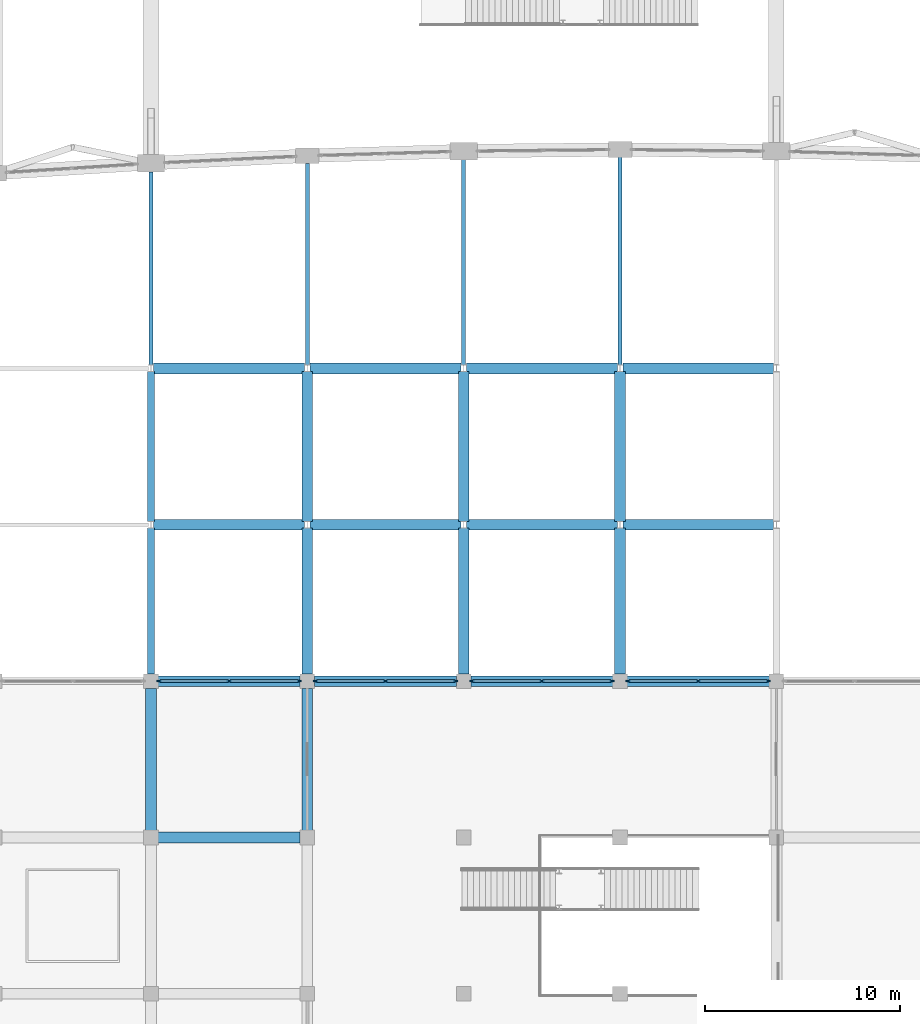
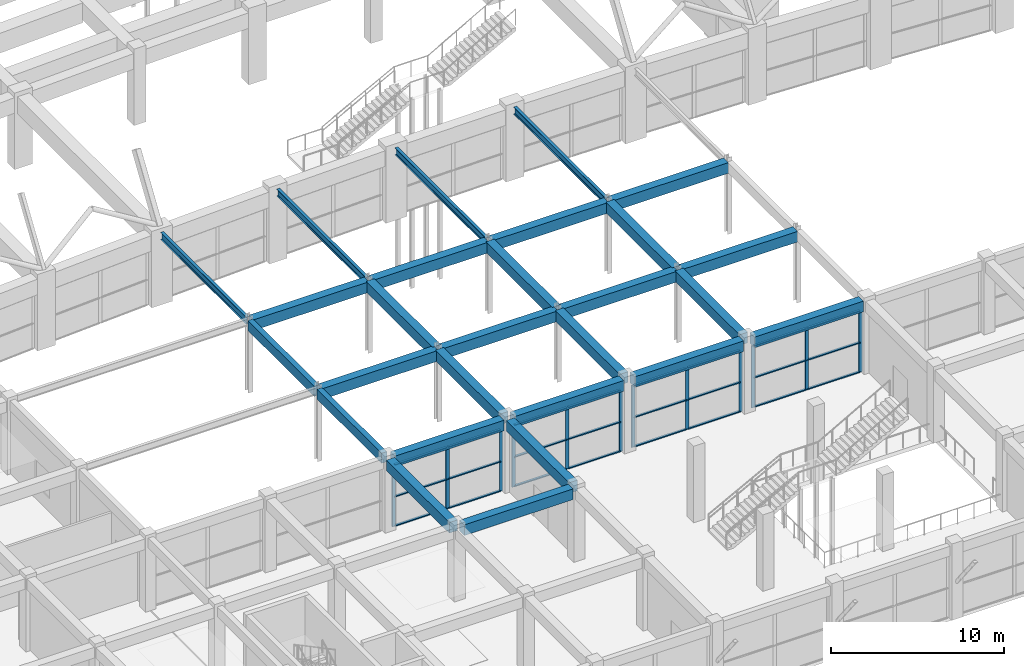
# One storey, part 17 of 69: 36 members, 27 beams, 4 elements without a shape of their own.
"""IFC4 building model written with IfcOpenShell, lengths in metres."""

from ifc_helpers import new_model, si_unit, direction, frame, origin, origin_2d, place, context, subcontext, project, spatial, rectangle, i_section, extrude, material, material_profile, profile_set, type_object, element, aggregate, save


model = new_model("IFC4")

# Units and contexts
model_context = context("Model", 3, precision=1e-05, world=origin(), true_north=direction((0.0, 1.0)))
body_context = subcontext(model_context, "Body", "Model", "MODEL_VIEW")
ifc_project = project(units=[si_unit("LENGTHUNIT", "METRE"), si_unit("AREAUNIT", "SQUARE_METRE"), si_unit("VOLUMEUNIT", "CUBIC_METRE"), si_unit("PLANEANGLEUNIT", "RADIAN"), si_unit("MASSUNIT", "GRAM", prefix="KILO")], contexts=[model_context])

# Site, building, storey
site_placement = place(None, origin())
site = spatial("IfcSite", under=ifc_project, at=site_placement, CompositionType="ELEMENT")
building_placement = place(site_placement, origin())
building = spatial("IfcBuilding", under=site, at=building_placement, Name="Kenh Van Central Station", CompositionType="ELEMENT")
storey_placement = place(building_placement, frame((0.0, 0.0, 5.39990234375)))
storey = spatial("IfcBuildingStorey", under=building, at=storey_placement, Name="L01", CompositionType="ELEMENT", Elevation=5.39990234375)

# Beams
ifc_material_1 = material(Name="Concrete C35/45", Category="concrete")
ifc_material_profile_1 = material_profile(ifc_material_1, rectangle(XDim=0.550048828125, YDim=0.75, at=origin_2d()), Name="RC 550x750")
ifc_profile_set_1 = profile_set([ifc_material_profile_1], Name="Concrete C35/45")
beam_type_1 = type_object("IfcBeamType", Name="BM-RC-550x750", PredefinedType="BEAM", material=ifc_profile_set_1)
for number, where, z_axis, x_axis, name in (
    (1, (64.364990234375, 32.0, 4.755126953125), (1.0, 0.0, 0.0), (0.0, 1.0, 0.0), "L01 beam 0678"),
    (2, (64.364990234375, 40.0, 4.755126953125), (1.0, 0.0, 0.0), (0.0, 1.0, 0.0), "L01 beam 0694"),
    (3, (72.364990234375, 40.0, 4.755126953125), (1.0, 0.0, 0.0), (0.0, 1.0, 0.0), "L01 beam 0695"),
    (4, (80.364990234375, 40.0, 4.755126953125), (1.0, 0.0, 0.0), (0.0, 1.0, 0.0), "L01 beam 0696"),
    (5, (88.364990234375, 40.0, 4.755126953125), (1.0, 0.0, 0.0), (0.0, 1.0, 0.0), "L01 beam 0697"),
):
    element("IfcBeam", number, at=place(storey_placement, frame(where, z_axis=z_axis, x_axis=x_axis)), inside=storey, type_object=beam_type_1, Name=name, PredefinedType="BEAM", context=body_context, shape_type="SweptSolid", body=[
        extrude(rectangle(XDim=0.550048828125, YDim=0.75, at=origin_2d()), origin(), (0.0, 0.0, 1.0), 7.27001953125),
    ])
for number, where, z_axis, x_axis, name in (
    (6, (64.139892578125, 48.0, 4.755126953125), (1.0, 0.0, 0.0), (0.0, 1.0, 0.0), "L01 beam 0713"),
    (7, (72.139892578125, 48.0, 4.755126953125), (1.0, 0.0, 0.0), (0.0, 1.0, 0.0), "L01 beam 0714"),
    (8, (80.139892578125, 48.0, 4.755126953125), (1.0, 0.0, 0.0), (0.0, 1.0, 0.0), "L01 beam 0715"),
    (9, (88.139892578125, 48.0, 4.755126953125), (1.0, 0.0, 0.0), (0.0, 1.0, 0.0), "L01 beam 0716"),
    (10, (64.139892578125, 56.0, 4.755126953125), (1.0, 0.0, 0.0), (0.0, 1.0, 0.0), "L01 beam 0728"),
    (11, (72.139892578125, 56.0, 4.755126953125), (1.0, 0.0, 0.0), (0.0, 1.0, 0.0), "L01 beam 0729"),
    (12, (80.139892578125, 56.0, 4.755126953125), (1.0, 0.0, 0.0), (0.0, 1.0, 0.0), "L01 beam 0730"),
    (13, (88.139892578125, 56.0, 4.755126953125), (1.0, 0.0, 0.0), (0.0, 1.0, 0.0), "L01 beam 0731"),
):
    element("IfcBeam", number, at=place(storey_placement, frame(where, z_axis=z_axis, x_axis=x_axis)), inside=storey, type_object=beam_type_1, Name=name, PredefinedType="BEAM", context=body_context, shape_type="SweptSolid", body=[
        extrude(rectangle(XDim=0.550048828125, YDim=0.75, at=origin_2d()), origin(), (0.0, 0.0, 1.0), 7.72021484375),
    ])
for number, where, z_axis, x_axis, name in (
    (14, (64.0, 32.364990234375, 4.755126953125), (0.0, 1.0, 0.0), (-1.0, 0.0, 0.0), "L01 beam 0811"),
    (15, (72.0, 32.364990234375, 4.755126953125), (0.0, 1.0, 0.0), (-1.0, 0.0, 0.0), "L01 beam 0817"),
):
    element("IfcBeam", number, at=place(storey_placement, frame(where, z_axis=z_axis, x_axis=x_axis)), inside=storey, type_object=beam_type_1, Name=name, PredefinedType="BEAM", context=body_context, shape_type="SweptSolid", body=[
        extrude(rectangle(XDim=0.550048828125, YDim=0.75, at=origin_2d()), origin(), (0.0, 0.0, 1.0), 7.27001953125),
    ])
beam_1_placement = place(storey_placement, frame((72.0, 40.364990234375, 4.755126953125), z_axis=(0.0, 1.0, 0.0), x_axis=(-1.0, 0.0, 0.0)))
element("IfcBeam", 16, at=beam_1_placement, inside=storey, type_object=beam_type_1, Name="L01 beam 0818", PredefinedType="BEAM", context=body_context, shape_type="SweptSolid", body=[
    extrude(rectangle(XDim=0.550048828125, YDim=0.75, at=origin_2d()), origin(), (0.0, 0.0, 1.0), 7.465087890625),
])
beam_2_placement = place(storey_placement, frame((72.0, 48.169921875, 4.755126953125), z_axis=(0.0, 1.0, 0.0), x_axis=(-1.0, 0.0, 0.0)))
element("IfcBeam", 17, at=beam_2_placement, inside=storey, type_object=beam_type_1, Name="L01 beam 0819", PredefinedType="BEAM", context=body_context, shape_type="SweptSolid", body=[
    extrude(rectangle(XDim=0.550048828125, YDim=0.75, at=origin_2d()), origin(), (0.0, 0.0, 1.0), 7.66015625),
])
beam_3_placement = place(storey_placement, frame((80.0, 40.364990234375, 4.755126953125), z_axis=(0.0, 1.0, 0.0), x_axis=(-1.0, 0.0, 0.0)))
element("IfcBeam", 18, at=beam_3_placement, inside=storey, type_object=beam_type_1, Name="L01 beam 0821", PredefinedType="BEAM", context=body_context, shape_type="SweptSolid", body=[
    extrude(rectangle(XDim=0.550048828125, YDim=0.75, at=origin_2d()), origin(), (0.0, 0.0, 1.0), 7.465087890625),
])
beam_4_placement = place(storey_placement, frame((80.0, 48.169921875, 4.755126953125), z_axis=(0.0, 1.0, 0.0), x_axis=(-1.0, 0.0, 0.0)))
element("IfcBeam", 19, at=beam_4_placement, inside=storey, type_object=beam_type_1, Name="L01 beam 0822", PredefinedType="BEAM", context=body_context, shape_type="SweptSolid", body=[
    extrude(rectangle(XDim=0.550048828125, YDim=0.75, at=origin_2d()), origin(), (0.0, 0.0, 1.0), 7.66015625),
])
beam_5_placement = place(storey_placement, frame((88.0, 40.364990234375, 4.755126953125), z_axis=(0.0, 1.0, 0.0), x_axis=(-1.0, 0.0, 0.0)))
element("IfcBeam", 20, at=beam_5_placement, inside=storey, type_object=beam_type_1, Name="L01 beam 0824", PredefinedType="BEAM", context=body_context, shape_type="SweptSolid", body=[
    extrude(rectangle(XDim=0.550048828125, YDim=0.75, at=origin_2d()), origin(), (0.0, 0.0, 1.0), 7.465087890625),
])
beam_6_placement = place(storey_placement, frame((88.0, 48.169921875, 4.755126953125), z_axis=(0.0, 1.0, 0.0), x_axis=(-1.0, 0.0, 0.0)))
element("IfcBeam", 21, at=beam_6_placement, inside=storey, type_object=beam_type_1, Name="L01 beam 0825", PredefinedType="BEAM", context=body_context, shape_type="SweptSolid", body=[
    extrude(rectangle(XDim=0.550048828125, YDim=0.75, at=origin_2d()), origin(), (0.0, 0.0, 1.0), 7.66015625),
])
ifc_material_2 = material(Name="Steel S355", Category="steel")
ifc_material_profile_2 = material_profile(ifc_material_2, i_section(OverallWidth=0.199951171875, OverallDepth=0.5, WebThickness=0.01025390625, FlangeThickness=0.01611328125, FilletRadius=0.02099609375, at=origin_2d()), Name="IPE 500")
ifc_profile_set_2 = profile_set([ifc_material_profile_2], Name="Steel S355")
beam_type_2 = type_object("IfcBeamType", Name="BM-STL-IPE500", PredefinedType="BEAM", material=ifc_profile_set_2)
beam_7_placement = place(storey_placement, frame((64.0, 56.169921875, 4.880126953125), z_axis=(0.0, 1.0, 0.0), x_axis=(-1.0, 0.0, 0.0)))
element("IfcBeam", 22, at=beam_7_placement, inside=storey, type_object=beam_type_2, Name="L01 beam 0814", PredefinedType="BEAM", context=body_context, shape_type="SweptSolid", body=[
    extrude(i_section(OverallWidth=0.199951171875, OverallDepth=0.5, WebThickness=0.01025390625, FlangeThickness=0.01611328125, FilletRadius=0.02099609375, at=origin_2d()), origin(), (0.0, 0.0, 1.0), 9.89208984375),
])
beam_8_placement = place(storey_placement, frame((72.0, 56.169921875, 4.880126953125), z_axis=(0.0, 1.0, 0.0), x_axis=(-1.0, 0.0, 0.0)))
element("IfcBeam", 23, at=beam_8_placement, inside=storey, type_object=beam_type_2, Name="L01 beam 0820", PredefinedType="BEAM", context=body_context, shape_type="SweptSolid", body=[
    extrude(i_section(OverallWidth=0.199951171875, OverallDepth=0.5, WebThickness=0.01025390625, FlangeThickness=0.01611328125, FilletRadius=0.02099609375, at=origin_2d()), origin(), (0.0, 0.0, 1.0), 10.3232421875),
])
beam_9_placement = place(storey_placement, frame((80.0, 56.169921875, 4.880126953125), z_axis=(0.0, 1.0, 0.0), x_axis=(-1.0, 0.0, 0.0)))
element("IfcBeam", 24, at=beam_9_placement, inside=storey, type_object=beam_type_2, Name="L01 beam 0823", PredefinedType="BEAM", context=body_context, shape_type="SweptSolid", body=[
    extrude(i_section(OverallWidth=0.199951171875, OverallDepth=0.5, WebThickness=0.01025390625, FlangeThickness=0.01611328125, FilletRadius=0.02099609375, at=origin_2d()), origin(), (0.0, 0.0, 1.0), 10.509765625),
])
beam_10_placement = place(storey_placement, frame((88.0, 56.169921875, 4.880126953125), z_axis=(0.0, 1.0, 0.0), x_axis=(-1.0, 0.0, 0.0)))
element("IfcBeam", 25, at=beam_10_placement, inside=storey, type_object=beam_type_2, Name="L01 beam 0826", PredefinedType="BEAM", context=body_context, shape_type="SweptSolid", body=[
    extrude(i_section(OverallWidth=0.199951171875, OverallDepth=0.5, WebThickness=0.01025390625, FlangeThickness=0.01611328125, FilletRadius=0.02099609375, at=origin_2d()), origin(), (0.0, 0.0, 1.0), 10.64013671875),
])

# Curtain wall, members
ifc_material_3 = material(Name="Champagne anodised aluminium", Category="aluminium")
curtain_wall_type = type_object("IfcCurtainWallType", Name="CW-CONC-B", PredefinedType="NOTDEFINED", material=ifc_material_3)
curtain_wall_1_placement = place(storey_placement, origin())
curtain_wall_1 = element("IfcCurtainWall", 26, at=curtain_wall_1_placement, inside=storey, type_object=curtain_wall_type, Name="L01 curtain wall 115", PredefinedType="NOTDEFINED")
ifc_material_profile_3 = material_profile(ifc_material_3, rectangle(XDim=0.08203125, YDim=0.22509765625, at=origin_2d()), Name="AL 82x225")
ifc_profile_set_3 = profile_set([ifc_material_profile_3], Name="Champagne anodised aluminium")
member_type_1 = type_object("IfcMemberType", Name="CWM-70x180", PredefinedType="MULLION", material=ifc_profile_set_3)
member_1_placement = place(storey_placement, frame((95.583984375, 40.0, 0.0), z_axis=(0.0, 0.0, 1.0), x_axis=(0.0, -1.0, 0.0)))
member_1 = element("IfcMember", 27, at=member_1_placement, type_object=member_type_1, Name="CW-04 mullion 1", PredefinedType="MULLION", context=body_context, shape_type="SweptSolid", body=[
    extrude(rectangle(XDim=0.08203125, YDim=0.22509765625, at=origin_2d()), origin(), (0.0, 0.0, 1.0), 4.380126953125),
])
member_2_placement = place(storey_placement, frame((92.0, 40.0, 0.0), z_axis=(0.0, 0.0, 1.0), x_axis=(0.0, -1.0, 0.0)))
member_2 = element("IfcMember", 28, at=member_2_placement, type_object=member_type_1, Name="CW-04 mullion 2", PredefinedType="MULLION", context=body_context, shape_type="SweptSolid", body=[
    extrude(rectangle(XDim=0.08203125, YDim=0.22509765625, at=origin_2d()), origin(), (0.0, 0.0, 1.0), 4.380126953125),
])
member_3_placement = place(storey_placement, frame((88.416015625, 40.0, 0.0), z_axis=(0.0, 0.0, 1.0), x_axis=(0.0, -1.0, 0.0)))
member_3 = element("IfcMember", 29, at=member_3_placement, type_object=member_type_1, Name="CW-04 mullion 3", PredefinedType="MULLION", context=body_context, shape_type="SweptSolid", body=[
    extrude(rectangle(XDim=0.08203125, YDim=0.22509765625, at=origin_2d()), origin(), (0.0, 0.0, 1.0), 4.380126953125),
])

curtain_wall_2_placement = place(storey_placement, origin())
curtain_wall_2 = element("IfcCurtainWall", 30, at=curtain_wall_2_placement, inside=storey, type_object=curtain_wall_type, Name="L01 curtain wall 116", PredefinedType="NOTDEFINED")
member_4_placement = place(storey_placement, frame((87.583984375, 40.0, 0.0), z_axis=(0.0, 0.0, 1.0), x_axis=(0.0, -1.0, 0.0)))
member_4 = element("IfcMember", 31, at=member_4_placement, type_object=member_type_1, Name="CW-04 mullion 1", PredefinedType="MULLION", context=body_context, shape_type="SweptSolid", body=[
    extrude(rectangle(XDim=0.08203125, YDim=0.22509765625, at=origin_2d()), origin(), (0.0, 0.0, 1.0), 4.380126953125),
])
member_5_placement = place(storey_placement, frame((84.0, 40.0, 0.0), z_axis=(0.0, 0.0, 1.0), x_axis=(0.0, -1.0, 0.0)))
member_5 = element("IfcMember", 32, at=member_5_placement, type_object=member_type_1, Name="CW-04 mullion 2", PredefinedType="MULLION", context=body_context, shape_type="SweptSolid", body=[
    extrude(rectangle(XDim=0.08203125, YDim=0.22509765625, at=origin_2d()), origin(), (0.0, 0.0, 1.0), 4.380126953125),
])
member_6_placement = place(storey_placement, frame((80.416015625, 40.0, 0.0), z_axis=(0.0, 0.0, 1.0), x_axis=(0.0, -1.0, 0.0)))
member_6 = element("IfcMember", 33, at=member_6_placement, type_object=member_type_1, Name="CW-04 mullion 3", PredefinedType="MULLION", context=body_context, shape_type="SweptSolid", body=[
    extrude(rectangle(XDim=0.08203125, YDim=0.22509765625, at=origin_2d()), origin(), (0.0, 0.0, 1.0), 4.380126953125),
])

curtain_wall_3_placement = place(storey_placement, origin())
curtain_wall_3 = element("IfcCurtainWall", 34, at=curtain_wall_3_placement, inside=storey, type_object=curtain_wall_type, Name="L01 curtain wall 117", PredefinedType="NOTDEFINED")
member_7_placement = place(storey_placement, frame((79.583984375, 40.0, 0.0), z_axis=(0.0, 0.0, 1.0), x_axis=(0.0, -1.0, 0.0)))
member_7 = element("IfcMember", 35, at=member_7_placement, type_object=member_type_1, Name="CW-04 mullion 1", PredefinedType="MULLION", context=body_context, shape_type="SweptSolid", body=[
    extrude(rectangle(XDim=0.08203125, YDim=0.22509765625, at=origin_2d()), origin(), (0.0, 0.0, 1.0), 4.380126953125),
])
member_8_placement = place(storey_placement, frame((76.0, 40.0, 0.0), z_axis=(0.0, 0.0, 1.0), x_axis=(0.0, -1.0, 0.0)))
member_8 = element("IfcMember", 36, at=member_8_placement, type_object=member_type_1, Name="CW-04 mullion 2", PredefinedType="MULLION", context=body_context, shape_type="SweptSolid", body=[
    extrude(rectangle(XDim=0.08203125, YDim=0.22509765625, at=origin_2d()), origin(), (0.0, 0.0, 1.0), 4.380126953125),
])
member_9_placement = place(storey_placement, frame((72.416015625, 40.0, 0.0), z_axis=(0.0, 0.0, 1.0), x_axis=(0.0, -1.0, 0.0)))
member_9 = element("IfcMember", 37, at=member_9_placement, type_object=member_type_1, Name="CW-04 mullion 3", PredefinedType="MULLION", context=body_context, shape_type="SweptSolid", body=[
    extrude(rectangle(XDim=0.08203125, YDim=0.22509765625, at=origin_2d()), origin(), (0.0, 0.0, 1.0), 4.380126953125),
])

curtain_wall_4_placement = place(storey_placement, origin())
curtain_wall_4 = element("IfcCurtainWall", 38, at=curtain_wall_4_placement, inside=storey, type_object=curtain_wall_type, Name="L01 curtain wall 118", PredefinedType="NOTDEFINED")
member_10_placement = place(storey_placement, frame((71.583984375, 40.0, 0.0), z_axis=(0.0, 0.0, 1.0), x_axis=(0.0, -1.0, 0.0)))
member_10 = element("IfcMember", 39, at=member_10_placement, type_object=member_type_1, Name="CW-04 mullion 1", PredefinedType="MULLION", context=body_context, shape_type="SweptSolid", body=[
    extrude(rectangle(XDim=0.08203125, YDim=0.22509765625, at=origin_2d()), origin(), (0.0, 0.0, 1.0), 4.380126953125),
])
member_11_placement = place(storey_placement, frame((68.0, 40.0, 0.0), z_axis=(0.0, 0.0, 1.0), x_axis=(0.0, -1.0, 0.0)))
member_11 = element("IfcMember", 40, at=member_11_placement, type_object=member_type_1, Name="CW-04 mullion 2", PredefinedType="MULLION", context=body_context, shape_type="SweptSolid", body=[
    extrude(rectangle(XDim=0.08203125, YDim=0.22509765625, at=origin_2d()), origin(), (0.0, 0.0, 1.0), 4.380126953125),
])
member_12_placement = place(storey_placement, frame((64.416015625, 40.0, 0.0), z_axis=(0.0, 0.0, 1.0), x_axis=(0.0, -1.0, 0.0)))
member_12 = element("IfcMember", 41, at=member_12_placement, type_object=member_type_1, Name="CW-04 mullion 3", PredefinedType="MULLION", context=body_context, shape_type="SweptSolid", body=[
    extrude(rectangle(XDim=0.08203125, YDim=0.22509765625, at=origin_2d()), origin(), (0.0, 0.0, 1.0), 4.380126953125),
])

# Member
ifc_material_profile_4 = material_profile(ifc_material_3, rectangle(XDim=0.155029296875, YDim=0.072021484375, at=origin_2d()), Name="AL 155x72")
ifc_profile_set_4 = profile_set([ifc_material_profile_4], Name="Champagne anodised aluminium")
member_type_2 = type_object("IfcMemberType", Name="CWT-120x60", PredefinedType="USERDEFINED", material=ifc_profile_set_4)
member_13_placement = place(storey_placement, frame((95.54296875, 40.0, 0.0361328125), z_axis=(-1.0, 0.0, 0.0), x_axis=(0.0, -1.0, 0.0)))
member_13 = element("IfcMember", 42, at=member_13_placement, type_object=member_type_2, Name="CW-04 transom 1.1", ObjectType="TRANSOM", PredefinedType="USERDEFINED", context=body_context, shape_type="SweptSolid", body=[
    extrude(rectangle(XDim=0.155029296875, YDim=0.072021484375, at=origin_2d()), origin(), (0.0, 0.0, 1.0), 3.501953125),
])

member_14_placement = place(storey_placement, frame((95.54296875, 40.0, 2.1025390625), z_axis=(-1.0, 0.0, 0.0), x_axis=(0.0, -1.0, 0.0)))
member_14 = element("IfcMember", 43, at=member_14_placement, type_object=member_type_2, Name="CW-04 transom 1.2", ObjectType="TRANSOM", PredefinedType="USERDEFINED", context=body_context, shape_type="SweptSolid", body=[
    extrude(rectangle(XDim=0.155029296875, YDim=0.072021484375, at=origin_2d()), origin(), (0.0, 0.0, 1.0), 3.501953125),
])

member_15_placement = place(storey_placement, frame((95.54296875, 40.0, 4.343994140625), z_axis=(-1.0, 0.0, 0.0), x_axis=(0.0, -1.0, 0.0)))
member_15 = element("IfcMember", 44, at=member_15_placement, type_object=member_type_2, Name="CW-04 transom 1.3", ObjectType="TRANSOM", PredefinedType="USERDEFINED", context=body_context, shape_type="SweptSolid", body=[
    extrude(rectangle(XDim=0.155029296875, YDim=0.072021484375, at=origin_2d()), origin(), (0.0, 0.0, 1.0), 3.501953125),
])

member_16_placement = place(storey_placement, frame((91.958984375, 40.0, 0.0361328125), z_axis=(-1.0, 0.0, 0.0), x_axis=(0.0, -1.0, 0.0)))
member_16 = element("IfcMember", 45, at=member_16_placement, type_object=member_type_2, Name="CW-04 transom 2.1", ObjectType="TRANSOM", PredefinedType="USERDEFINED", context=body_context, shape_type="SweptSolid", body=[
    extrude(rectangle(XDim=0.155029296875, YDim=0.072021484375, at=origin_2d()), origin(), (0.0, 0.0, 1.0), 3.501953125),
])

member_17_placement = place(storey_placement, frame((91.958984375, 40.0, 2.1025390625), z_axis=(-1.0, 0.0, 0.0), x_axis=(0.0, -1.0, 0.0)))
member_17 = element("IfcMember", 46, at=member_17_placement, type_object=member_type_2, Name="CW-04 transom 2.2", ObjectType="TRANSOM", PredefinedType="USERDEFINED", context=body_context, shape_type="SweptSolid", body=[
    extrude(rectangle(XDim=0.155029296875, YDim=0.072021484375, at=origin_2d()), origin(), (0.0, 0.0, 1.0), 3.501953125),
])

member_18_placement = place(storey_placement, frame((91.958984375, 40.0, 4.343994140625), z_axis=(-1.0, 0.0, 0.0), x_axis=(0.0, -1.0, 0.0)))
member_18 = element("IfcMember", 47, at=member_18_placement, type_object=member_type_2, Name="CW-04 transom 2.3", ObjectType="TRANSOM", PredefinedType="USERDEFINED", context=body_context, shape_type="SweptSolid", body=[
    extrude(rectangle(XDim=0.155029296875, YDim=0.072021484375, at=origin_2d()), origin(), (0.0, 0.0, 1.0), 3.501953125),
])

aggregate(curtain_wall_1, [member_1, member_2, member_3, member_13, member_14, member_15, member_16, member_17, member_18])

member_19_placement = place(storey_placement, frame((87.54296875, 40.0, 0.0361328125), z_axis=(-1.0, 0.0, 0.0), x_axis=(0.0, -1.0, 0.0)))
member_19 = element("IfcMember", 48, at=member_19_placement, type_object=member_type_2, Name="CW-04 transom 1.1", ObjectType="TRANSOM", PredefinedType="USERDEFINED", context=body_context, shape_type="SweptSolid", body=[
    extrude(rectangle(XDim=0.155029296875, YDim=0.072021484375, at=origin_2d()), origin(), (0.0, 0.0, 1.0), 3.501953125),
])

member_20_placement = place(storey_placement, frame((87.54296875, 40.0, 2.1025390625), z_axis=(-1.0, 0.0, 0.0), x_axis=(0.0, -1.0, 0.0)))
member_20 = element("IfcMember", 49, at=member_20_placement, type_object=member_type_2, Name="CW-04 transom 1.2", ObjectType="TRANSOM", PredefinedType="USERDEFINED", context=body_context, shape_type="SweptSolid", body=[
    extrude(rectangle(XDim=0.155029296875, YDim=0.072021484375, at=origin_2d()), origin(), (0.0, 0.0, 1.0), 3.501953125),
])

member_21_placement = place(storey_placement, frame((87.54296875, 40.0, 4.343994140625), z_axis=(-1.0, 0.0, 0.0), x_axis=(0.0, -1.0, 0.0)))
member_21 = element("IfcMember", 50, at=member_21_placement, type_object=member_type_2, Name="CW-04 transom 1.3", ObjectType="TRANSOM", PredefinedType="USERDEFINED", context=body_context, shape_type="SweptSolid", body=[
    extrude(rectangle(XDim=0.155029296875, YDim=0.072021484375, at=origin_2d()), origin(), (0.0, 0.0, 1.0), 3.501953125),
])

member_22_placement = place(storey_placement, frame((83.958984375, 40.0, 0.0361328125), z_axis=(-1.0, 0.0, 0.0), x_axis=(0.0, -1.0, 0.0)))
member_22 = element("IfcMember", 51, at=member_22_placement, type_object=member_type_2, Name="CW-04 transom 2.1", ObjectType="TRANSOM", PredefinedType="USERDEFINED", context=body_context, shape_type="SweptSolid", body=[
    extrude(rectangle(XDim=0.155029296875, YDim=0.072021484375, at=origin_2d()), origin(), (0.0, 0.0, 1.0), 3.501953125),
])

member_23_placement = place(storey_placement, frame((83.958984375, 40.0, 2.1025390625), z_axis=(-1.0, 0.0, 0.0), x_axis=(0.0, -1.0, 0.0)))
member_23 = element("IfcMember", 52, at=member_23_placement, type_object=member_type_2, Name="CW-04 transom 2.2", ObjectType="TRANSOM", PredefinedType="USERDEFINED", context=body_context, shape_type="SweptSolid", body=[
    extrude(rectangle(XDim=0.155029296875, YDim=0.072021484375, at=origin_2d()), origin(), (0.0, 0.0, 1.0), 3.501953125),
])

member_24_placement = place(storey_placement, frame((83.958984375, 40.0, 4.343994140625), z_axis=(-1.0, 0.0, 0.0), x_axis=(0.0, -1.0, 0.0)))
member_24 = element("IfcMember", 53, at=member_24_placement, type_object=member_type_2, Name="CW-04 transom 2.3", ObjectType="TRANSOM", PredefinedType="USERDEFINED", context=body_context, shape_type="SweptSolid", body=[
    extrude(rectangle(XDim=0.155029296875, YDim=0.072021484375, at=origin_2d()), origin(), (0.0, 0.0, 1.0), 3.501953125),
])

aggregate(curtain_wall_2, [member_4, member_5, member_6, member_19, member_20, member_21, member_22, member_23, member_24])

member_25_placement = place(storey_placement, frame((79.54296875, 40.0, 0.0361328125), z_axis=(-1.0, 0.0, 0.0), x_axis=(0.0, -1.0, 0.0)))
member_25 = element("IfcMember", 54, at=member_25_placement, type_object=member_type_2, Name="CW-04 transom 1.1", ObjectType="TRANSOM", PredefinedType="USERDEFINED", context=body_context, shape_type="SweptSolid", body=[
    extrude(rectangle(XDim=0.155029296875, YDim=0.072021484375, at=origin_2d()), origin(), (0.0, 0.0, 1.0), 3.501953125),
])

member_26_placement = place(storey_placement, frame((79.54296875, 40.0, 2.1025390625), z_axis=(-1.0, 0.0, 0.0), x_axis=(0.0, -1.0, 0.0)))
member_26 = element("IfcMember", 55, at=member_26_placement, type_object=member_type_2, Name="CW-04 transom 1.2", ObjectType="TRANSOM", PredefinedType="USERDEFINED", context=body_context, shape_type="SweptSolid", body=[
    extrude(rectangle(XDim=0.155029296875, YDim=0.072021484375, at=origin_2d()), origin(), (0.0, 0.0, 1.0), 3.501953125),
])

member_27_placement = place(storey_placement, frame((79.54296875, 40.0, 4.343994140625), z_axis=(-1.0, 0.0, 0.0), x_axis=(0.0, -1.0, 0.0)))
member_27 = element("IfcMember", 56, at=member_27_placement, type_object=member_type_2, Name="CW-04 transom 1.3", ObjectType="TRANSOM", PredefinedType="USERDEFINED", context=body_context, shape_type="SweptSolid", body=[
    extrude(rectangle(XDim=0.155029296875, YDim=0.072021484375, at=origin_2d()), origin(), (0.0, 0.0, 1.0), 3.501953125),
])

member_28_placement = place(storey_placement, frame((75.958984375, 40.0, 0.0361328125), z_axis=(-1.0, 0.0, 0.0), x_axis=(0.0, -1.0, 0.0)))
member_28 = element("IfcMember", 57, at=member_28_placement, type_object=member_type_2, Name="CW-04 transom 2.1", ObjectType="TRANSOM", PredefinedType="USERDEFINED", context=body_context, shape_type="SweptSolid", body=[
    extrude(rectangle(XDim=0.155029296875, YDim=0.072021484375, at=origin_2d()), origin(), (0.0, 0.0, 1.0), 3.501953125),
])

member_29_placement = place(storey_placement, frame((75.958984375, 40.0, 2.1025390625), z_axis=(-1.0, 0.0, 0.0), x_axis=(0.0, -1.0, 0.0)))
member_29 = element("IfcMember", 58, at=member_29_placement, type_object=member_type_2, Name="CW-04 transom 2.2", ObjectType="TRANSOM", PredefinedType="USERDEFINED", context=body_context, shape_type="SweptSolid", body=[
    extrude(rectangle(XDim=0.155029296875, YDim=0.072021484375, at=origin_2d()), origin(), (0.0, 0.0, 1.0), 3.501953125),
])

member_30_placement = place(storey_placement, frame((75.958984375, 40.0, 4.343994140625), z_axis=(-1.0, 0.0, 0.0), x_axis=(0.0, -1.0, 0.0)))
member_30 = element("IfcMember", 59, at=member_30_placement, type_object=member_type_2, Name="CW-04 transom 2.3", ObjectType="TRANSOM", PredefinedType="USERDEFINED", context=body_context, shape_type="SweptSolid", body=[
    extrude(rectangle(XDim=0.155029296875, YDim=0.072021484375, at=origin_2d()), origin(), (0.0, 0.0, 1.0), 3.501953125),
])

aggregate(curtain_wall_3, [member_7, member_8, member_9, member_25, member_26, member_27, member_28, member_29, member_30])

member_31_placement = place(storey_placement, frame((71.54296875, 40.0, 0.0361328125), z_axis=(-1.0, 0.0, 0.0), x_axis=(0.0, -1.0, 0.0)))
member_31 = element("IfcMember", 60, at=member_31_placement, type_object=member_type_2, Name="CW-04 transom 1.1", ObjectType="TRANSOM", PredefinedType="USERDEFINED", context=body_context, shape_type="SweptSolid", body=[
    extrude(rectangle(XDim=0.155029296875, YDim=0.072021484375, at=origin_2d()), origin(), (0.0, 0.0, 1.0), 3.501953125),
])

member_32_placement = place(storey_placement, frame((71.54296875, 40.0, 2.1025390625), z_axis=(-1.0, 0.0, 0.0), x_axis=(0.0, -1.0, 0.0)))
member_32 = element("IfcMember", 61, at=member_32_placement, type_object=member_type_2, Name="CW-04 transom 1.2", ObjectType="TRANSOM", PredefinedType="USERDEFINED", context=body_context, shape_type="SweptSolid", body=[
    extrude(rectangle(XDim=0.155029296875, YDim=0.072021484375, at=origin_2d()), origin(), (0.0, 0.0, 1.0), 3.501953125),
])

member_33_placement = place(storey_placement, frame((71.54296875, 40.0, 4.343994140625), z_axis=(-1.0, 0.0, 0.0), x_axis=(0.0, -1.0, 0.0)))
member_33 = element("IfcMember", 62, at=member_33_placement, type_object=member_type_2, Name="CW-04 transom 1.3", ObjectType="TRANSOM", PredefinedType="USERDEFINED", context=body_context, shape_type="SweptSolid", body=[
    extrude(rectangle(XDim=0.155029296875, YDim=0.072021484375, at=origin_2d()), origin(), (0.0, 0.0, 1.0), 3.501953125),
])

member_34_placement = place(storey_placement, frame((67.958984375, 40.0, 0.0361328125), z_axis=(-1.0, 0.0, 0.0), x_axis=(0.0, -1.0, 0.0)))
member_34 = element("IfcMember", 63, at=member_34_placement, type_object=member_type_2, Name="CW-04 transom 2.1", ObjectType="TRANSOM", PredefinedType="USERDEFINED", context=body_context, shape_type="SweptSolid", body=[
    extrude(rectangle(XDim=0.155029296875, YDim=0.072021484375, at=origin_2d()), origin(), (0.0, 0.0, 1.0), 3.501953125),
])

member_35_placement = place(storey_placement, frame((67.958984375, 40.0, 2.1025390625), z_axis=(-1.0, 0.0, 0.0), x_axis=(0.0, -1.0, 0.0)))
member_35 = element("IfcMember", 64, at=member_35_placement, type_object=member_type_2, Name="CW-04 transom 2.2", ObjectType="TRANSOM", PredefinedType="USERDEFINED", context=body_context, shape_type="SweptSolid", body=[
    extrude(rectangle(XDim=0.155029296875, YDim=0.072021484375, at=origin_2d()), origin(), (0.0, 0.0, 1.0), 3.501953125),
])

member_36_placement = place(storey_placement, frame((67.958984375, 40.0, 4.343994140625), z_axis=(-1.0, 0.0, 0.0), x_axis=(0.0, -1.0, 0.0)))
member_36 = element("IfcMember", 65, at=member_36_placement, type_object=member_type_2, Name="CW-04 transom 2.3", ObjectType="TRANSOM", PredefinedType="USERDEFINED", context=body_context, shape_type="SweptSolid", body=[
    extrude(rectangle(XDim=0.155029296875, YDim=0.072021484375, at=origin_2d()), origin(), (0.0, 0.0, 1.0), 3.501953125),
])

aggregate(curtain_wall_4, [member_10, member_11, member_12, member_31, member_32, member_33, member_34, member_35, member_36])

# Beams
ifc_material_profile_5 = material_profile(ifc_material_1, rectangle(XDim=0.35009765625, YDim=0.699951171875, at=origin_2d()), Name="RC 350x700")
ifc_profile_set_5 = profile_set([ifc_material_profile_5], Name="Concrete C35/45")
beam_type_3 = type_object("IfcBeamType", Name="SPD-RC-350x700", PredefinedType="SPANDREL", material=ifc_profile_set_5)
beam_11_placement = place(storey_placement, frame((64.0, 40.364990234375, 4.780029296875), z_axis=(0.0, 1.0, 0.0), x_axis=(-1.0, 0.0, 0.0)))
element("IfcBeam", 66, at=beam_11_placement, inside=storey, type_object=beam_type_3, Name="L01 beam 0812", PredefinedType="SPANDREL", context=body_context, shape_type="SweptSolid", body=[
    extrude(rectangle(XDim=0.35009765625, YDim=0.699951171875, at=origin_2d()), origin(), (0.0, 0.0, 1.0), 7.465087890625),
])
beam_12_placement = place(storey_placement, frame((64.0, 48.169921875, 4.780029296875), z_axis=(0.0, 1.0, 0.0), x_axis=(-1.0, 0.0, 0.0)))
element("IfcBeam", 67, at=beam_12_placement, inside=storey, type_object=beam_type_3, Name="L01 beam 0813", PredefinedType="SPANDREL", context=body_context, shape_type="SweptSolid", body=[
    extrude(rectangle(XDim=0.35009765625, YDim=0.699951171875, at=origin_2d()), origin(), (0.0, 0.0, 1.0), 7.66015625),
])

save(model, "model.ifc")
